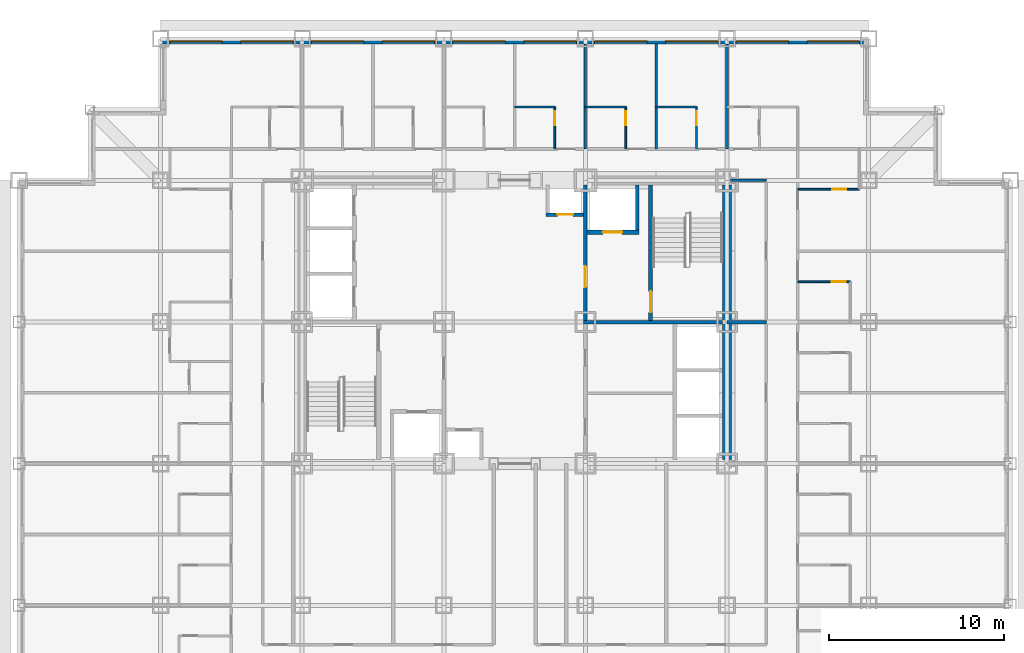
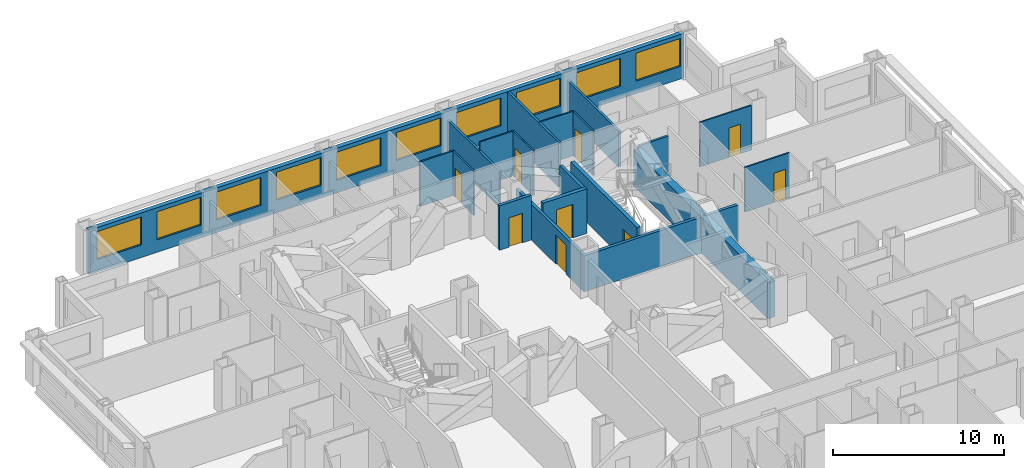
# One storey, part 9 of 11: 21 walls, 10 windows, 9 doors, 19 openings.
"""IFC4 building model written with IfcOpenShell, lengths in metres."""

from ifc_helpers import new_model, si_unit, direction, frame, frame_2d, origin, place, context, subcontext, project, spatial, rectangle, extrude, material, layer, layer_set, type_object, element, fill, save


model = new_model("IFC4")

# Units and contexts
model_context = context("Model", 3, precision=1e-05, world=origin(), true_north=direction((0.0, 1.0)))
body_context = subcontext(model_context, "Body", "Model", "MODEL_VIEW")
ifc_project = project(units=[si_unit("LENGTHUNIT", "METRE"), si_unit("AREAUNIT", "SQUARE_METRE"), si_unit("VOLUMEUNIT", "CUBIC_METRE"), si_unit("PLANEANGLEUNIT", "RADIAN"), si_unit("MASSUNIT", "GRAM", prefix="KILO")], contexts=[model_context])

# Site, building, storey
site_placement = place(None, origin())
site = spatial("IfcSite", under=ifc_project, at=site_placement, CompositionType="ELEMENT")
building_placement = place(site_placement, origin())
building = spatial("IfcBuilding", under=site, at=building_placement, Name="Kopane Lantern Tower", CompositionType="ELEMENT")
storey_placement = place(building_placement, frame((0.0, 0.0, 60.199951171875)))
storey = spatial("IfcBuildingStorey", under=building, at=storey_placement, Name="L14", CompositionType="ELEMENT", Elevation=60.199951171875)

# Wall
ifc_material_1 = material(Name="Moisture-resistant board on steel studs", Category="steel")
ifc_layer_1 = layer(ifc_material_1, 0.10009765625)
ifc_layer_set_1 = layer_set([ifc_layer_1], Name="BATHROOM WALL 100")
wall_type_1 = type_object("IfcWallType", Name="BATHROOM WALL 100", PredefinedType="PARTITIONING", material=ifc_layer_set_1)
wall_1_placement = place(storey_placement, frame((28.35009765625, 44.699951171875, 0.0), z_axis=(0.0, 0.0, 1.0), x_axis=(1.0, 0.0, 0.0)))
element("IfcWall", 1, at=wall_1_placement, inside=storey, type_object=wall_type_1, Name="Bathroom Wall 100 L14", PredefinedType="PARTITIONING", context=body_context, shape_type="SweptSolid", body=[
    extrude(rectangle(XDim=2.2998046875, YDim=0.10009765625, at=frame_2d((1.14990234375, 0.0))), origin(), (0.0, 0.0, 1.0), 3.18994140625),
])

# Wall, opening, door
wall_2_placement = place(storey_placement, frame((30.64990234375, 42.300048828125, 0.0), z_axis=(0.0, 0.0, 1.0), x_axis=(0.0, 1.0, 0.0)))
wall_2 = element("IfcWall", 2, at=wall_2_placement, inside=storey, type_object=wall_type_1, Name="Bathroom Wall 100 L14", PredefinedType="PARTITIONING", context=body_context, shape_type="SweptSolid", body=[
    extrude(rectangle(XDim=2.39990234375, YDim=0.10009765625, at=frame_2d((1.199951171875, 0.0))), origin(), (0.0, 0.0, 1.0), 3.18994140625),
])
opening_1_placement = place(wall_2_placement, frame((1.35009765625, 0.0, 0.0)))
opening_1 = element("IfcOpeningElement", 3, at=opening_1_placement, cuts=wall_2, Name="Opening L14-029", PredefinedType="OPENING", context=body_context, shape_type="SweptSolid", body=[
    extrude(rectangle(XDim=0.800048828125, YDim=2.10009765625, at=frame_2d((0.39990234375, 1.050048828125))), frame((0.0, 0.06005859375, 0.0), z_axis=(0.0, -1.0, 0.0), x_axis=(1.0, 0.0, 0.0)), (0.0, 0.0, 1.0), 0.1201171875),
])
ifc_material_2 = material(Name="Timber door set", Category="wood")
door_type_1 = type_object("IfcDoorType", Name="DOOR D2 800x2100", OperationType="SINGLE_SWING_LEFT", PredefinedType="DOOR", material=ifc_material_2)
door_1_placement = place(opening_1_placement, origin())
door_1 = element("IfcDoor", 4, at=door_1_placement, inside=storey, type_object=door_type_1, Name="Door L14-029", OperationType="SINGLE_SWING_RIGHT", OverallHeight=2.10009765625, OverallWidth=0.800048828125, PredefinedType="DOOR", context=body_context, shape_type="SweptSolid", body=[
    extrude(rectangle(XDim=0.800048828125, YDim=2.10009765625, at=frame_2d((0.39990234375, 1.050048828125))), frame((0.0, 0.02490234375, 0.0), z_axis=(0.0, -1.0, 0.0), x_axis=(1.0, 0.0, 0.0)), (0.0, 0.0, 1.0), 0.050048828125),
])
fill(opening_1, door_1)

# Wall
wall_3_placement = place(storey_placement, frame((32.39990234375, 44.699951171875, 0.0), z_axis=(0.0, 0.0, 1.0), x_axis=(1.0, 0.0, 0.0)))
element("IfcWall", 5, at=wall_3_placement, inside=storey, type_object=wall_type_1, Name="Bathroom Wall 100 L14", PredefinedType="PARTITIONING", context=body_context, shape_type="SweptSolid", body=[
    extrude(rectangle(XDim=2.300048828125, YDim=0.10009765625, at=frame_2d((1.14990234375, 0.0))), origin(), (0.0, 0.0, 1.0), 3.18994140625),
])

# Wall, opening, door
wall_4_placement = place(storey_placement, frame((34.699951171875, 42.300048828125, 0.0), z_axis=(0.0, 0.0, 1.0), x_axis=(0.0, 1.0, 0.0)))
wall_4 = element("IfcWall", 6, at=wall_4_placement, inside=storey, type_object=wall_type_1, Name="Bathroom Wall 100 L14", PredefinedType="PARTITIONING", context=body_context, shape_type="SweptSolid", body=[
    extrude(rectangle(XDim=2.39990234375, YDim=0.10009765625, at=frame_2d((1.199951171875, 0.0))), origin(), (0.0, 0.0, 1.0), 3.18994140625),
])
opening_2_placement = place(wall_4_placement, frame((1.35009765625, 0.0, 0.0)))
opening_2 = element("IfcOpeningElement", 7, at=opening_2_placement, cuts=wall_4, Name="Opening L14-031", PredefinedType="OPENING", context=body_context, shape_type="SweptSolid", body=[
    extrude(rectangle(XDim=0.800048828125, YDim=2.10009765625, at=frame_2d((0.39990234375, 1.050048828125))), frame((0.0, 0.06005859375, 0.0), z_axis=(0.0, -1.0, 0.0), x_axis=(1.0, 0.0, 0.0)), (0.0, 0.0, 1.0), 0.1201171875),
])
door_2_placement = place(opening_2_placement, origin())
door_2 = element("IfcDoor", 8, at=door_2_placement, inside=storey, type_object=door_type_1, Name="Door L14-031", OperationType="SINGLE_SWING_RIGHT", OverallHeight=2.10009765625, OverallWidth=0.800048828125, PredefinedType="DOOR", context=body_context, shape_type="SweptSolid", body=[
    extrude(rectangle(XDim=0.800048828125, YDim=2.10009765625, at=frame_2d((0.39990234375, 1.050048828125))), frame((0.0, 0.02490234375, 0.0), z_axis=(0.0, -1.0, 0.0), x_axis=(1.0, 0.0, 0.0)), (0.0, 0.0, 1.0), 0.050048828125),
])
fill(opening_2, door_2)

# Wall
wall_5_placement = place(storey_placement, frame((36.449951171875, 44.699951171875, 0.0), z_axis=(0.0, 0.0, 1.0), x_axis=(1.0, 0.0, 0.0)))
element("IfcWall", 9, at=wall_5_placement, inside=storey, type_object=wall_type_1, Name="Bathroom Wall 100 L14", PredefinedType="PARTITIONING", context=body_context, shape_type="SweptSolid", body=[
    extrude(rectangle(XDim=2.300048828125, YDim=0.10009765625, at=frame_2d((1.14990234375, 0.0))), origin(), (0.0, 0.0, 1.0), 3.18994140625),
])

# Wall, opening, door
wall_6_placement = place(storey_placement, frame((38.75, 42.300048828125, 0.0), z_axis=(0.0, 0.0, 1.0), x_axis=(0.0, 1.0, 0.0)))
wall_6 = element("IfcWall", 10, at=wall_6_placement, inside=storey, type_object=wall_type_1, Name="Bathroom Wall 100 L14", PredefinedType="PARTITIONING", context=body_context, shape_type="SweptSolid", body=[
    extrude(rectangle(XDim=2.39990234375, YDim=0.10009765625, at=frame_2d((1.199951171875, 0.0))), origin(), (0.0, 0.0, 1.0), 3.18994140625),
])
opening_3_placement = place(wall_6_placement, frame((1.35009765625, 0.0, 0.0)))
opening_3 = element("IfcOpeningElement", 11, at=opening_3_placement, cuts=wall_6, Name="Opening L14-033", PredefinedType="OPENING", context=body_context, shape_type="SweptSolid", body=[
    extrude(rectangle(XDim=0.800048828125, YDim=2.10009765625, at=frame_2d((0.39990234375, 1.050048828125))), frame((0.0, 0.06005859375, 0.0), z_axis=(0.0, -1.0, 0.0), x_axis=(1.0, 0.0, 0.0)), (0.0, 0.0, 1.0), 0.1201171875),
])
door_3_placement = place(opening_3_placement, origin())
door_3 = element("IfcDoor", 12, at=door_3_placement, inside=storey, type_object=door_type_1, Name="Door L14-033", OperationType="SINGLE_SWING_RIGHT", OverallHeight=2.10009765625, OverallWidth=0.800048828125, PredefinedType="DOOR", context=body_context, shape_type="SweptSolid", body=[
    extrude(rectangle(XDim=0.800048828125, YDim=2.10009765625, at=frame_2d((0.39990234375, 1.050048828125))), frame((0.0, 0.02490234375, 0.0), z_axis=(0.0, -1.0, 0.0), x_axis=(1.0, 0.0, 0.0)), (0.0, 0.0, 1.0), 0.050048828125),
])
fill(opening_3, door_3)

wall_7_placement = place(storey_placement, frame((44.550048828125, 34.699951171875, 0.0), z_axis=(0.0, 0.0, 1.0), x_axis=(1.0, 0.0, 0.0)))
wall_7 = element("IfcWall", 13, at=wall_7_placement, inside=storey, type_object=wall_type_1, Name="Bathroom Wall 100 L14", PredefinedType="PARTITIONING", context=body_context, shape_type="SweptSolid", body=[
    extrude(rectangle(XDim=3.0, YDim=0.10009765625, at=frame_2d((1.5, 0.0))), origin(), (0.0, 0.0, 1.0), 3.18994140625),
])
opening_4_placement = place(wall_7_placement, frame((1.949951171875, 0.0, 0.0)))
opening_4 = element("IfcOpeningElement", 14, at=opening_4_placement, cuts=wall_7, Name="Opening L14-058", PredefinedType="OPENING", context=body_context, shape_type="SweptSolid", body=[
    extrude(rectangle(XDim=0.800048828125, YDim=2.10009765625, at=frame_2d((0.39990234375, 1.050048828125))), frame((0.0, 0.06005859375, 0.0), z_axis=(0.0, -1.0, 0.0), x_axis=(1.0, 0.0, 0.0)), (0.0, 0.0, 1.0), 0.1201171875),
])
door_4_placement = place(opening_4_placement, origin())
door_4 = element("IfcDoor", 15, at=door_4_placement, inside=storey, type_object=door_type_1, Name="Door L14-058", OperationType="SINGLE_SWING_LEFT", OverallHeight=2.10009765625, OverallWidth=0.800048828125, PredefinedType="DOOR", context=body_context, shape_type="SweptSolid", body=[
    extrude(rectangle(XDim=0.800048828125, YDim=2.10009765625, at=frame_2d((0.39990234375, 1.050048828125))), frame((0.0, 0.02490234375, 0.0), z_axis=(0.0, -1.0, 0.0), x_axis=(1.0, 0.0, 0.0)), (0.0, 0.0, 1.0), 0.050048828125),
])
fill(opening_4, door_4)

wall_8_placement = place(storey_placement, frame((44.550048828125, 40.0, 0.0), z_axis=(0.0, 0.0, 1.0), x_axis=(1.0, 0.0, 0.0)))
wall_8 = element("IfcWall", 16, at=wall_8_placement, inside=storey, type_object=wall_type_1, Name="Bathroom Wall 100 L14", PredefinedType="PARTITIONING", context=body_context, shape_type="SweptSolid", body=[
    extrude(rectangle(XDim=3.514892578125, YDim=0.10009765625, at=frame_2d((1.75732421875, 0.0))), origin(), (0.0, 0.0, 1.0), 3.18994140625),
])
opening_5_placement = place(wall_8_placement, frame((1.965087890625, 0.0, 0.0)))
opening_5 = element("IfcOpeningElement", 17, at=opening_5_placement, cuts=wall_8, Name="Opening L14-060", PredefinedType="OPENING", context=body_context, shape_type="SweptSolid", body=[
    extrude(rectangle(XDim=0.800048828125, YDim=2.10009765625, at=frame_2d((0.39990234375, 1.050048828125))), frame((0.0, 0.06005859375, 0.0), z_axis=(0.0, -1.0, 0.0), x_axis=(1.0, 0.0, 0.0)), (0.0, 0.0, 1.0), 0.1201171875),
])
door_5_placement = place(opening_5_placement, origin())
door_5 = element("IfcDoor", 18, at=door_5_placement, inside=storey, type_object=door_type_1, Name="Door L14-060", OperationType="SINGLE_SWING_RIGHT", OverallHeight=2.10009765625, OverallWidth=0.800048828125, PredefinedType="DOOR", context=body_context, shape_type="SweptSolid", body=[
    extrude(rectangle(XDim=0.800048828125, YDim=2.10009765625, at=frame_2d((0.39990234375, 1.050048828125))), frame((0.0, 0.02490234375, 0.0), z_axis=(0.0, -1.0, 0.0), x_axis=(1.0, 0.0, 0.0)), (0.0, 0.0, 1.0), 0.050048828125),
])
fill(opening_5, door_5)

# Wall
ifc_material_3 = material(Name="Gypsum shaft wall EI 120", Category="gypsum")
ifc_layer_2 = layer(ifc_material_3, 0.5)
ifc_layer_set_2 = layer_set([ifc_layer_2], Name="CORE PERIMETER WALL 500 EI 120")
wall_type_2 = type_object("IfcWallType", Name="CORE PERIMETER WALL 500 EI 120", PredefinedType="SOLIDWALL", material=ifc_layer_set_2)
wall_9_placement = place(storey_placement, frame((40.5, 24.550048828125, 0.0), z_axis=(0.0, 0.0, 1.0), x_axis=(0.0, 1.0, 0.0)))
element("IfcWall", 19, at=wall_9_placement, inside=storey, type_object=wall_type_2, Name="Core shaft wall L14 PE", PredefinedType="SOLIDWALL", context=body_context, shape_type="SweptSolid", body=[
    extrude(rectangle(XDim=15.699951171875, YDim=0.5, at=frame_2d((7.85009765625, 0.0))), origin(), (0.0, 0.0, 1.0), 2.577880859375),
])

# Wall, opening, door
ifc_material_4 = material(Name="Gypsum shaft wall EI 120", Category="gypsum")
ifc_layer_3 = layer(ifc_material_4, 0.25)
ifc_layer_set_3 = layer_set([ifc_layer_3], Name="CORE SHAFT WALL 250 EI 120")
wall_type_3 = type_object("IfcWallType", Name="CORE SHAFT WALL 250 EI 120", PredefinedType="SOLIDWALL", material=ifc_layer_set_3)
wall_10_placement = place(storey_placement, frame((36.125, 32.5, 0.0), z_axis=(0.0, 0.0, 1.0), x_axis=(0.0, 1.0, 0.0)))
wall_10 = element("IfcWall", 20, at=wall_10_placement, inside=storey, type_object=wall_type_3, Name="Core shaft wall L14 XST2", PredefinedType="SOLIDWALL", context=body_context, shape_type="SweptSolid", body=[
    extrude(rectangle(XDim=7.75, YDim=0.25, at=frame_2d((3.875, 0.0))), origin(), (0.0, 0.0, 1.0), 3.18994140625),
])
opening_6_placement = place(wall_10_placement, frame((0.449951171875, 0.0, 0.0)))
opening_6 = element("IfcOpeningElement", 21, at=opening_6_placement, cuts=wall_10, Name="Opening 14.SD2", PredefinedType="OPENING", context=body_context, shape_type="SweptSolid", body=[
    extrude(rectangle(XDim=1.199951171875, YDim=2.10009765625, at=frame_2d((0.60009765625, 1.050048828125))), frame((0.0, 0.135009765625, 0.0), z_axis=(0.0, -1.0, 0.0), x_axis=(1.0, 0.0, 0.0)), (0.0, 0.0, 1.0), 0.27001953125),
])
ifc_material_5 = material(Name="Steel door set", Category="steel")
door_type_2 = type_object("IfcDoorType", Name="STAIR DOOR 1200x2100 FD60S", OperationType="SINGLE_SWING_LEFT", PredefinedType="DOOR", material=ifc_material_5)
door_6_placement = place(opening_6_placement, origin())
door_6 = element("IfcDoor", 22, at=door_6_placement, inside=storey, type_object=door_type_2, Name="Stair door ST2 L14", OperationType="SINGLE_SWING_RIGHT", OverallHeight=2.10009765625, OverallWidth=1.199951171875, PredefinedType="DOOR", context=body_context, shape_type="SweptSolid", body=[
    extrude(rectangle(XDim=1.199951171875, YDim=2.10009765625, at=frame_2d((0.60009765625, 1.050048828125))), frame((0.0, 0.02490234375, 0.0), z_axis=(0.0, -1.0, 0.0), x_axis=(1.0, 0.0, 0.0)), (0.0, 0.0, 1.0), 0.050048828125),
])
fill(opening_6, door_6)

wall_11_placement = place(storey_placement, frame((32.5, 37.52490234375, 0.0), z_axis=(0.0, 0.0, 1.0), x_axis=(1.0, 0.0, 0.0)))
wall_11 = element("IfcWall", 23, at=wall_11_placement, inside=storey, type_object=wall_type_3, Name="Core shaft wall L14 YLF2", PredefinedType="SOLIDWALL", context=body_context, shape_type="SweptSolid", body=[
    extrude(rectangle(XDim=2.949951171875, YDim=0.25, at=frame_2d((1.47509765625, 0.0))), origin(), (0.0, 0.0, 1.0), 3.18994140625),
])
opening_7_placement = place(wall_11_placement, frame((0.89990234375, 0.0, 0.0)))
opening_7 = element("IfcOpeningElement", 24, at=opening_7_placement, cuts=wall_11, Name="Opening 14.LD-LF2", PredefinedType="OPENING", context=body_context, shape_type="SweptSolid", body=[
    extrude(rectangle(XDim=1.10009765625, YDim=2.39990234375, at=frame_2d((0.550048828125, 1.199951171875))), frame((0.0, 0.135009765625, 0.0), z_axis=(0.0, -1.0, 0.0), x_axis=(1.0, 0.0, 0.0)), (0.0, 0.0, 1.0), 0.27001953125),
])
ifc_material_6 = material(Name="Steel door set", Category="steel")
door_type_3 = type_object("IfcDoorType", Name="LIFT LANDING DOOR 1100x2400 FD60", OperationType="DOUBLE_DOOR_SLIDING", PredefinedType="DOOR", material=ifc_material_6)
door_7_placement = place(opening_7_placement, origin())
door_7 = element("IfcDoor", 25, at=door_7_placement, inside=storey, type_object=door_type_3, Name="Landing door LF2 L14", OperationType="DOUBLE_DOOR_SLIDING", OverallHeight=2.39990234375, OverallWidth=1.10009765625, PredefinedType="DOOR", context=body_context, shape_type="SweptSolid", body=[
    extrude(rectangle(XDim=1.10009765625, YDim=2.39990234375, at=frame_2d((0.550048828125, 1.199951171875))), frame((0.0, 0.02490234375, 0.0), z_axis=(0.0, -1.0, 0.0), x_axis=(1.0, 0.0, 0.0)), (0.0, 0.0, 1.0), 0.050048828125),
])
fill(opening_7, door_7)

# Walls
ifc_material_7 = material(Name="Gypsum board on steel studs", Category="steel")
ifc_layer_4 = layer(ifc_material_7, 0.14990234375)
ifc_layer_set_4 = layer_set([ifc_layer_4], Name="CORRIDOR WALL 150 EI 60")
wall_type_4 = type_object("IfcWallType", Name="CORRIDOR WALL 150 EI 60", PredefinedType="PARTITIONING", material=ifc_layer_set_4)
wall_12_placement = place(storey_placement, frame((42.75, 40.5, 0.0), z_axis=(0.0, 0.0, 1.0), x_axis=(-1.0, 0.0, 0.0)))
element("IfcWall", 26, at=wall_12_placement, inside=storey, type_object=wall_type_4, Name="Corridor Wall 150 Ei 60 L14", PredefinedType="PARTITIONING", context=body_context, shape_type="SweptSolid", body=[
    extrude(rectangle(XDim=2.050048828125, YDim=0.14990234375, at=frame_2d((1.02490234375, 0.0))), origin(), (0.0, 0.0, 1.0), 2.577880859375),
])
ifc_material_8 = material(Name="Gypsum board on steel studs", Category="steel")
ifc_layer_5 = layer(ifc_material_8, 0.14990234375)
ifc_layer_set_5 = layer_set([ifc_layer_5], Name="DEMISING WALL 150 EI 60")
wall_type_5 = type_object("IfcWallType", Name="DEMISING WALL 150 EI 60", PredefinedType="PARTITIONING", material=ifc_layer_set_5)
wall_13_placement = place(storey_placement, frame((32.39990234375, 42.300048828125, 0.0), z_axis=(0.0, 0.0, 1.0), x_axis=(0.0, 1.0, 0.0)))
element("IfcWall", 27, at=wall_13_placement, inside=storey, type_object=wall_type_5, Name="Demising Wall 150 Ei 60 L14", PredefinedType="PARTITIONING", context=body_context, shape_type="SweptSolid", body=[
    extrude(rectangle(XDim=6.0, YDim=0.14990234375, at=frame_2d((3.0, 0.0))), origin(), (0.0, 0.0, 1.0), 2.577880859375),
])
wall_14_placement = place(storey_placement, frame((36.449951171875, 42.300048828125, 0.0), z_axis=(0.0, 0.0, 1.0), x_axis=(0.0, 1.0, 0.0)))
element("IfcWall", 28, at=wall_14_placement, inside=storey, type_object=wall_type_5, Name="Demising Wall 150 Ei 60 L14", PredefinedType="PARTITIONING", context=body_context, shape_type="SweptSolid", body=[
    extrude(rectangle(XDim=6.0, YDim=0.14990234375, at=frame_2d((3.0, 0.0))), origin(), (0.0, 0.0, 1.0), 3.18994140625),
])
wall_15_placement = place(storey_placement, frame((40.5, 42.300048828125, 0.0), z_axis=(0.0, 0.0, 1.0), x_axis=(0.0, 1.0, 0.0)))
element("IfcWall", 29, at=wall_15_placement, inside=storey, type_object=wall_type_5, Name="Demising Wall 150 Ei 60 L14", PredefinedType="PARTITIONING", context=body_context, shape_type="SweptSolid", body=[
    extrude(rectangle(XDim=6.0, YDim=0.14990234375, at=frame_2d((3.0, 0.0))), origin(), (0.0, 0.0, 1.0), 2.577880859375),
])

# Wall, openings, windows
ifc_material_9 = material(Name="Terracotta rainscreen on light steel framing", Category="masonry")
ifc_layer_6 = layer(ifc_material_9, 0.300048828125)
ifc_layer_set_6 = layer_set([ifc_layer_6], Name="EXTERNAL WALL EW1 300 TERRACOTTA")
wall_type_6 = type_object("IfcWallType", Name="EXTERNAL WALL EW1 300 TERRACOTTA", PredefinedType="SOLIDWALL", material=ifc_layer_set_6)
wall_16_placement = place(storey_placement, frame((48.300048828125, 48.449951171875, 0.0), z_axis=(0.0, 0.0, 1.0), x_axis=(-1.0, 0.0, 0.0)))
wall_16 = element("IfcWall", 30, at=wall_16_placement, inside=storey, type_object=wall_type_6, Name="External wall N L14", PredefinedType="SOLIDWALL", context=body_context, shape_type="SweptSolid", body=[
    extrude(rectangle(XDim=40.199951171875, YDim=0.300048828125, at=frame_2d((20.10009765625, 0.0))), origin(), (0.0, 0.0, 1.0), 3.18994140625),
])
opening_8_placement = place(wall_16_placement, frame((0.22509765625, 0.0, 0.89990234375)))
opening_8 = element("IfcOpeningElement", 31, at=opening_8_placement, cuts=wall_16, Name="Opening WR300200", PredefinedType="OPENING", context=body_context, shape_type="SweptSolid", body=[
    extrude(rectangle(XDim=3.0, YDim=2.0, at=frame_2d((1.5, 1.0))), frame((0.0, 0.159912109375, 0.0), z_axis=(0.0, -1.0, 0.0), x_axis=(1.0, 0.0, 0.0)), (0.0, 0.0, 1.0), 0.320068359375),
])
opening_9_placement = place(wall_16_placement, frame((4.27490234375, 0.0, 0.89990234375)))
opening_9 = element("IfcOpeningElement", 32, at=opening_9_placement, cuts=wall_16, Name="Opening WR300200", PredefinedType="OPENING", context=body_context, shape_type="SweptSolid", body=[
    extrude(rectangle(XDim=3.0, YDim=2.0, at=frame_2d((1.5, 1.0))), frame((0.0, 0.159912109375, 0.0), z_axis=(0.0, -1.0, 0.0), x_axis=(1.0, 0.0, 0.0)), (0.0, 0.0, 1.0), 0.320068359375),
])
opening_10_placement = place(wall_16_placement, frame((8.324951171875, 0.0, 0.89990234375)))
opening_10 = element("IfcOpeningElement", 33, at=opening_10_placement, cuts=wall_16, Name="Opening WR300200", PredefinedType="OPENING", context=body_context, shape_type="SweptSolid", body=[
    extrude(rectangle(XDim=3.0, YDim=2.0, at=frame_2d((1.5, 1.0))), frame((0.0, 0.159912109375, 0.0), z_axis=(0.0, -1.0, 0.0), x_axis=(1.0, 0.0, 0.0)), (0.0, 0.0, 1.0), 0.320068359375),
])
opening_11_placement = place(wall_16_placement, frame((12.375, 0.0, 0.89990234375)))
opening_11 = element("IfcOpeningElement", 34, at=opening_11_placement, cuts=wall_16, Name="Opening WR300200", PredefinedType="OPENING", context=body_context, shape_type="SweptSolid", body=[
    extrude(rectangle(XDim=3.0, YDim=2.0, at=frame_2d((1.5, 1.0))), frame((0.0, 0.159912109375, 0.0), z_axis=(0.0, -1.0, 0.0), x_axis=(1.0, 0.0, 0.0)), (0.0, 0.0, 1.0), 0.320068359375),
])
opening_12_placement = place(wall_16_placement, frame((16.425048828125, 0.0, 0.89990234375)))
opening_12 = element("IfcOpeningElement", 35, at=opening_12_placement, cuts=wall_16, Name="Opening WR300200", PredefinedType="OPENING", context=body_context, shape_type="SweptSolid", body=[
    extrude(rectangle(XDim=3.0, YDim=2.0, at=frame_2d((1.5, 1.0))), frame((0.0, 0.159912109375, 0.0), z_axis=(0.0, -1.0, 0.0), x_axis=(1.0, 0.0, 0.0)), (0.0, 0.0, 1.0), 0.320068359375),
])
opening_13_placement = place(wall_16_placement, frame((20.47509765625, 0.0, 0.89990234375)))
opening_13 = element("IfcOpeningElement", 36, at=opening_13_placement, cuts=wall_16, Name="Opening WR300200", PredefinedType="OPENING", context=body_context, shape_type="SweptSolid", body=[
    extrude(rectangle(XDim=3.0, YDim=2.0, at=frame_2d((1.5, 1.0))), frame((0.0, 0.159912109375, 0.0), z_axis=(0.0, -1.0, 0.0), x_axis=(1.0, 0.0, 0.0)), (0.0, 0.0, 1.0), 0.320068359375),
])
opening_14_placement = place(wall_16_placement, frame((24.52490234375, 0.0, 0.89990234375)))
opening_14 = element("IfcOpeningElement", 37, at=opening_14_placement, cuts=wall_16, Name="Opening WR300200", PredefinedType="OPENING", context=body_context, shape_type="SweptSolid", body=[
    extrude(rectangle(XDim=3.0, YDim=2.0, at=frame_2d((1.5, 1.0))), frame((0.0, 0.159912109375, 0.0), z_axis=(0.0, -1.0, 0.0), x_axis=(1.0, 0.0, 0.0)), (0.0, 0.0, 1.0), 0.320068359375),
])
opening_15_placement = place(wall_16_placement, frame((28.574951171875, 0.0, 0.89990234375)))
opening_15 = element("IfcOpeningElement", 38, at=opening_15_placement, cuts=wall_16, Name="Opening WR300200", PredefinedType="OPENING", context=body_context, shape_type="SweptSolid", body=[
    extrude(rectangle(XDim=3.0, YDim=2.0, at=frame_2d((1.5, 1.0))), frame((0.0, 0.159912109375, 0.0), z_axis=(0.0, -1.0, 0.0), x_axis=(1.0, 0.0, 0.0)), (0.0, 0.0, 1.0), 0.320068359375),
])
opening_16_placement = place(wall_16_placement, frame((32.625, 0.0, 0.89990234375)))
opening_16 = element("IfcOpeningElement", 39, at=opening_16_placement, cuts=wall_16, Name="Opening WR300200", PredefinedType="OPENING", context=body_context, shape_type="SweptSolid", body=[
    extrude(rectangle(XDim=3.0, YDim=2.0, at=frame_2d((1.5, 1.0))), frame((0.0, 0.159912109375, 0.0), z_axis=(0.0, -1.0, 0.0), x_axis=(1.0, 0.0, 0.0)), (0.0, 0.0, 1.0), 0.320068359375),
])
opening_17_placement = place(wall_16_placement, frame((36.675048828125, 0.0, 0.89990234375)))
opening_17 = element("IfcOpeningElement", 40, at=opening_17_placement, cuts=wall_16, Name="Opening WR300200", PredefinedType="OPENING", context=body_context, shape_type="SweptSolid", body=[
    extrude(rectangle(XDim=3.0, YDim=2.0, at=frame_2d((1.5, 1.0))), frame((0.0, 0.159912109375, 0.0), z_axis=(0.0, -1.0, 0.0), x_axis=(1.0, 0.0, 0.0)), (0.0, 0.0, 1.0), 0.320068359375),
])
ifc_material_10 = material(Name="Aluminium and clear glass", Category="aluminium")
window_type = type_object("IfcWindowType", Name="RIBBON WINDOW WR300200 3000x2000", PartitioningType="SINGLE_PANEL", PredefinedType="WINDOW", material=ifc_material_10)
window_1_placement = place(opening_8_placement, origin())
window_1 = element("IfcWindow", 41, at=window_1_placement, inside=storey, type_object=window_type, Name="Window N L14", OverallHeight=2.0, OverallWidth=3.0, PartitioningType="SINGLE_PANEL", PredefinedType="WINDOW", context=body_context, shape_type="SweptSolid", body=[
    extrude(rectangle(XDim=3.0, YDim=2.0, at=frame_2d((1.5, 1.0))), frame((0.0, 0.030029296875, 0.0), z_axis=(0.0, -1.0, 0.0), x_axis=(1.0, 0.0, 0.0)), (0.0, 0.0, 1.0), 0.06005859375),
])
fill(opening_8, window_1)
window_2_placement = place(opening_9_placement, origin())
window_2 = element("IfcWindow", 42, at=window_2_placement, inside=storey, type_object=window_type, Name="Window N L14", OverallHeight=2.0, OverallWidth=3.0, PartitioningType="SINGLE_PANEL", PredefinedType="WINDOW", context=body_context, shape_type="SweptSolid", body=[
    extrude(rectangle(XDim=3.0, YDim=2.0, at=frame_2d((1.5, 1.0))), frame((0.0, 0.030029296875, 0.0), z_axis=(0.0, -1.0, 0.0), x_axis=(1.0, 0.0, 0.0)), (0.0, 0.0, 1.0), 0.06005859375),
])
fill(opening_9, window_2)
window_3_placement = place(opening_10_placement, origin())
window_3 = element("IfcWindow", 43, at=window_3_placement, inside=storey, type_object=window_type, Name="Window N L14", OverallHeight=2.0, OverallWidth=3.0, PartitioningType="SINGLE_PANEL", PredefinedType="WINDOW", context=body_context, shape_type="SweptSolid", body=[
    extrude(rectangle(XDim=3.0, YDim=2.0, at=frame_2d((1.5, 1.0))), frame((0.0, 0.030029296875, 0.0), z_axis=(0.0, -1.0, 0.0), x_axis=(1.0, 0.0, 0.0)), (0.0, 0.0, 1.0), 0.06005859375),
])
fill(opening_10, window_3)
window_4_placement = place(opening_11_placement, origin())
window_4 = element("IfcWindow", 44, at=window_4_placement, inside=storey, type_object=window_type, Name="Window N L14", OverallHeight=2.0, OverallWidth=3.0, PartitioningType="SINGLE_PANEL", PredefinedType="WINDOW", context=body_context, shape_type="SweptSolid", body=[
    extrude(rectangle(XDim=3.0, YDim=2.0, at=frame_2d((1.5, 1.0))), frame((0.0, 0.030029296875, 0.0), z_axis=(0.0, -1.0, 0.0), x_axis=(1.0, 0.0, 0.0)), (0.0, 0.0, 1.0), 0.06005859375),
])
fill(opening_11, window_4)
window_5_placement = place(opening_12_placement, origin())
window_5 = element("IfcWindow", 45, at=window_5_placement, inside=storey, type_object=window_type, Name="Window N L14", OverallHeight=2.0, OverallWidth=3.0, PartitioningType="SINGLE_PANEL", PredefinedType="WINDOW", context=body_context, shape_type="SweptSolid", body=[
    extrude(rectangle(XDim=3.0, YDim=2.0, at=frame_2d((1.5, 1.0))), frame((0.0, 0.030029296875, 0.0), z_axis=(0.0, -1.0, 0.0), x_axis=(1.0, 0.0, 0.0)), (0.0, 0.0, 1.0), 0.06005859375),
])
fill(opening_12, window_5)
window_6_placement = place(opening_13_placement, origin())
window_6 = element("IfcWindow", 46, at=window_6_placement, inside=storey, type_object=window_type, Name="Window N L14", OverallHeight=2.0, OverallWidth=3.0, PartitioningType="SINGLE_PANEL", PredefinedType="WINDOW", context=body_context, shape_type="SweptSolid", body=[
    extrude(rectangle(XDim=3.0, YDim=2.0, at=frame_2d((1.5, 1.0))), frame((0.0, 0.030029296875, 0.0), z_axis=(0.0, -1.0, 0.0), x_axis=(1.0, 0.0, 0.0)), (0.0, 0.0, 1.0), 0.06005859375),
])
fill(opening_13, window_6)
window_7_placement = place(opening_14_placement, origin())
window_7 = element("IfcWindow", 47, at=window_7_placement, inside=storey, type_object=window_type, Name="Window N L14", OverallHeight=2.0, OverallWidth=3.0, PartitioningType="SINGLE_PANEL", PredefinedType="WINDOW", context=body_context, shape_type="SweptSolid", body=[
    extrude(rectangle(XDim=3.0, YDim=2.0, at=frame_2d((1.5, 1.0))), frame((0.0, 0.030029296875, 0.0), z_axis=(0.0, -1.0, 0.0), x_axis=(1.0, 0.0, 0.0)), (0.0, 0.0, 1.0), 0.06005859375),
])
fill(opening_14, window_7)
window_8_placement = place(opening_15_placement, origin())
window_8 = element("IfcWindow", 48, at=window_8_placement, inside=storey, type_object=window_type, Name="Window N L14", OverallHeight=2.0, OverallWidth=3.0, PartitioningType="SINGLE_PANEL", PredefinedType="WINDOW", context=body_context, shape_type="SweptSolid", body=[
    extrude(rectangle(XDim=3.0, YDim=2.0, at=frame_2d((1.5, 1.0))), frame((0.0, 0.030029296875, 0.0), z_axis=(0.0, -1.0, 0.0), x_axis=(1.0, 0.0, 0.0)), (0.0, 0.0, 1.0), 0.06005859375),
])
fill(opening_15, window_8)
window_9_placement = place(opening_16_placement, origin())
window_9 = element("IfcWindow", 49, at=window_9_placement, inside=storey, type_object=window_type, Name="Window N L14", OverallHeight=2.0, OverallWidth=3.0, PartitioningType="SINGLE_PANEL", PredefinedType="WINDOW", context=body_context, shape_type="SweptSolid", body=[
    extrude(rectangle(XDim=3.0, YDim=2.0, at=frame_2d((1.5, 1.0))), frame((0.0, 0.030029296875, 0.0), z_axis=(0.0, -1.0, 0.0), x_axis=(1.0, 0.0, 0.0)), (0.0, 0.0, 1.0), 0.06005859375),
])
fill(opening_16, window_9)
window_10_placement = place(opening_17_placement, origin())
window_10 = element("IfcWindow", 50, at=window_10_placement, inside=storey, type_object=window_type, Name="Window N L14", OverallHeight=2.0, OverallWidth=3.0, PartitioningType="SINGLE_PANEL", PredefinedType="WINDOW", context=body_context, shape_type="SweptSolid", body=[
    extrude(rectangle(XDim=3.0, YDim=2.0, at=frame_2d((1.5, 1.0))), frame((0.0, 0.030029296875, 0.0), z_axis=(0.0, -1.0, 0.0), x_axis=(1.0, 0.0, 0.0)), (0.0, 0.0, 1.0), 0.06005859375),
])
fill(opening_17, window_10)

# Walls
ifc_material_11 = material(Name="Concrete masonry", Category="masonry")
ifc_layer_7 = layer(ifc_material_11, 0.199951171875)
ifc_layer_set_7 = layer_set([ifc_layer_7], Name="PLANT ROOM WALL 200 EI 120")
wall_type_7 = type_object("IfcWallType", Name="PLANT ROOM WALL 200 EI 120", PredefinedType="SOLIDWALL", material=ifc_layer_set_7)
wall_17_placement = place(storey_placement, frame((40.5, 32.39990234375, 0.0), z_axis=(0.0, 0.0, 1.0), x_axis=(1.0, 0.0, 0.0)))
element("IfcWall", 51, at=wall_17_placement, inside=storey, type_object=wall_type_7, Name="Plant Room Wall 200 Ei 120 L14", PredefinedType="SOLIDWALL", context=body_context, shape_type="SweptSolid", body=[
    extrude(rectangle(XDim=2.25, YDim=0.199951171875, at=frame_2d((1.125, 0.0))), origin(), (0.0, 0.0, 1.0), 2.577880859375),
])
ifc_material_12 = material(Name="Gypsum shaft wall EI 120", Category="gypsum")
ifc_layer_8 = layer(ifc_material_12, 0.199951171875)
ifc_layer_set_8 = layer_set([ifc_layer_8], Name="SHAFT WALL 200 EI 120")
wall_type_8 = type_object("IfcWallType", Name="SHAFT WALL 200 EI 120", PredefinedType="SOLIDWALL", material=ifc_layer_set_8)
wall_18_placement = place(storey_placement, frame((32.300048828125, 32.39990234375, 0.0), z_axis=(0.0, 0.0, 1.0), x_axis=(1.0, 0.0, 0.0)))
element("IfcWall", 52, at=wall_18_placement, inside=storey, type_object=wall_type_8, Name="Core shaft wall L14 Y324E", PredefinedType="SOLIDWALL", context=body_context, shape_type="SweptSolid", body=[
    extrude(rectangle(XDim=7.949951171875, YDim=0.199951171875, at=frame_2d((3.97509765625, 0.0))), origin(), (0.0, 0.0, 1.0), 2.577880859375),
])

# Wall, opening, door
wall_19_placement = place(storey_placement, frame((32.39990234375, 32.5, 0.0), z_axis=(0.0, 0.0, 1.0), x_axis=(0.0, 1.0, 0.0)))
wall_19 = element("IfcWall", 53, at=wall_19_placement, inside=storey, type_object=wall_type_8, Name="Core shaft wall L14 X324", PredefinedType="SOLIDWALL", context=body_context, shape_type="SweptSolid", body=[
    extrude(rectangle(XDim=7.75, YDim=0.199951171875, at=frame_2d((3.875, 0.0))), origin(), (0.0, 0.0, 1.0), 2.577880859375),
])
opening_18_placement = place(wall_19_placement, frame((1.89990234375, 0.0, 0.0)))
opening_18 = element("IfcOpeningElement", 54, at=opening_18_placement, cuts=wall_19, Name="Opening 14.FL2", PredefinedType="OPENING", context=body_context, shape_type="SweptSolid", body=[
    extrude(rectangle(XDim=1.199951171875, YDim=2.10009765625, at=frame_2d((0.60009765625, 1.050048828125))), frame((0.0, 0.10986328125, 0.0), z_axis=(0.0, -1.0, 0.0), x_axis=(1.0, 0.0, 0.0)), (0.0, 0.0, 1.0), 0.219970703125),
])
ifc_material_13 = material(Name="Steel door set", Category="steel")
door_type_4 = type_object("IfcDoorType", Name="FIREFIGHTING LOBBY DOOR 1200x2100 FD60S", OperationType="SINGLE_SWING_RIGHT", PredefinedType="DOOR", material=ifc_material_13)
door_8_placement = place(opening_18_placement, origin())
door_8 = element("IfcDoor", 55, at=door_8_placement, inside=storey, type_object=door_type_4, Name="Firefighting lobby door FL2 L14", OperationType="SINGLE_SWING_LEFT", OverallHeight=2.10009765625, OverallWidth=1.199951171875, PredefinedType="DOOR", context=body_context, shape_type="SweptSolid", body=[
    extrude(rectangle(XDim=1.199951171875, YDim=2.10009765625, at=frame_2d((0.60009765625, 1.050048828125))), frame((0.0, 0.02490234375, 0.0), z_axis=(0.0, -1.0, 0.0), x_axis=(1.0, 0.0, 0.0)), (0.0, 0.0, 1.0), 0.050048828125),
])
fill(opening_18, door_8)

# Wall
wall_20_placement = place(storey_placement, frame((35.35009765625, 37.64990234375, 0.0), z_axis=(0.0, 0.0, 1.0), x_axis=(0.0, 1.0, 0.0)))
element("IfcWall", 56, at=wall_20_placement, inside=storey, type_object=wall_type_8, Name="Core shaft wall L14 XLF2", PredefinedType="SOLIDWALL", context=body_context, shape_type="SweptSolid", body=[
    extrude(rectangle(XDim=2.60009765625, YDim=0.199951171875, at=frame_2d((1.300048828125, 0.0))), origin(), (0.0, 0.0, 1.0), 3.18994140625),
])

# Wall, opening, door
wall_21_placement = place(storey_placement, frame((30.14990234375, 38.550048828125, 0.0), z_axis=(0.0, 0.0, 1.0), x_axis=(1.0, 0.0, 0.0)))
wall_21 = element("IfcWall", 57, at=wall_21_placement, inside=storey, type_object=wall_type_8, Name="Core shaft wall L14 YRS2", PredefinedType="SOLIDWALL", context=body_context, shape_type="SweptSolid", body=[
    extrude(rectangle(XDim=2.150146484375, YDim=0.199951171875, at=frame_2d((1.0751953125, 0.0))), origin(), (0.0, 0.0, 1.0), 3.18994140625),
])
opening_19_placement = place(wall_21_placement, frame((0.64990234375, 0.0, 0.0)))
opening_19 = element("IfcOpeningElement", 58, at=opening_19_placement, cuts=wall_21, Name="Opening 14.RS2", PredefinedType="OPENING", context=body_context, shape_type="SweptSolid", body=[
    extrude(rectangle(XDim=0.89990234375, YDim=2.10009765625, at=frame_2d((0.449951171875, 1.050048828125))), frame((0.0, 0.10986328125, 0.0), z_axis=(0.0, -1.0, 0.0), x_axis=(1.0, 0.0, 0.0)), (0.0, 0.0, 1.0), 0.219970703125),
])
ifc_material_14 = material(Name="Steel door set", Category="steel")
door_type_5 = type_object("IfcDoorType", Name="RISER ACCESS DOOR 900x2100 FD60", OperationType="SINGLE_SWING_LEFT", PredefinedType="DOOR", material=ifc_material_14)
door_9_placement = place(opening_19_placement, origin())
door_9 = element("IfcDoor", 59, at=door_9_placement, inside=storey, type_object=door_type_5, Name="Riser access door RS2 L14", OperationType="SINGLE_SWING_LEFT", OverallHeight=2.10009765625, OverallWidth=0.89990234375, PredefinedType="DOOR", context=body_context, shape_type="SweptSolid", body=[
    extrude(rectangle(XDim=0.89990234375, YDim=2.10009765625, at=frame_2d((0.449951171875, 1.050048828125))), frame((0.0, 0.02490234375, 0.0), z_axis=(0.0, -1.0, 0.0), x_axis=(1.0, 0.0, 0.0)), (0.0, 0.0, 1.0), 0.050048828125),
])
fill(opening_19, door_9)

save(model, "model.ifc")
